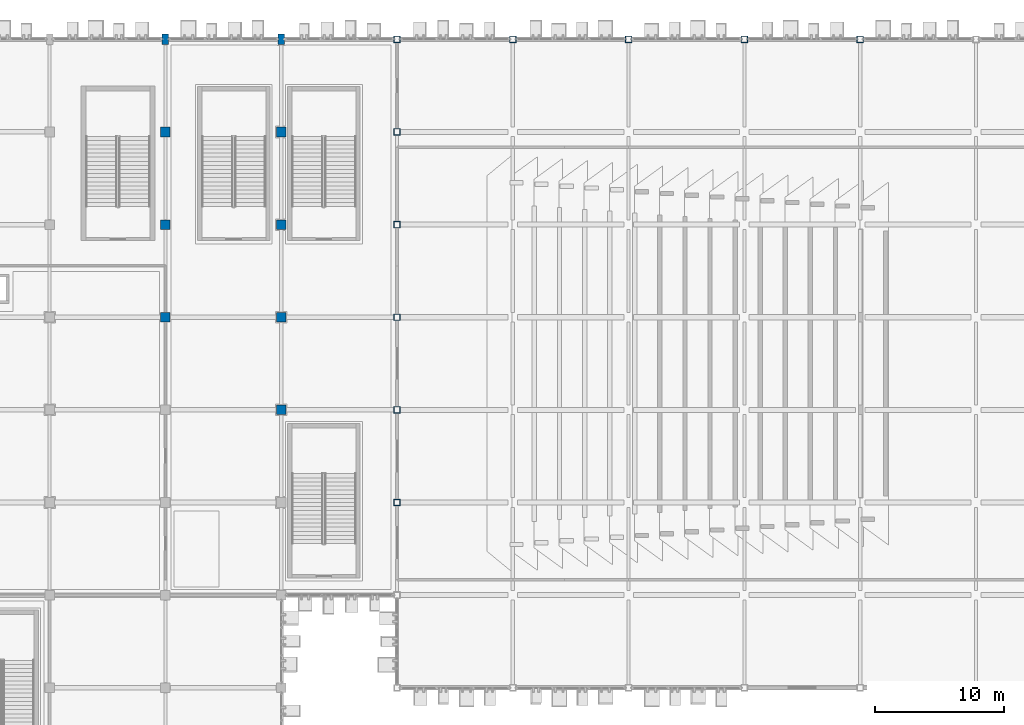
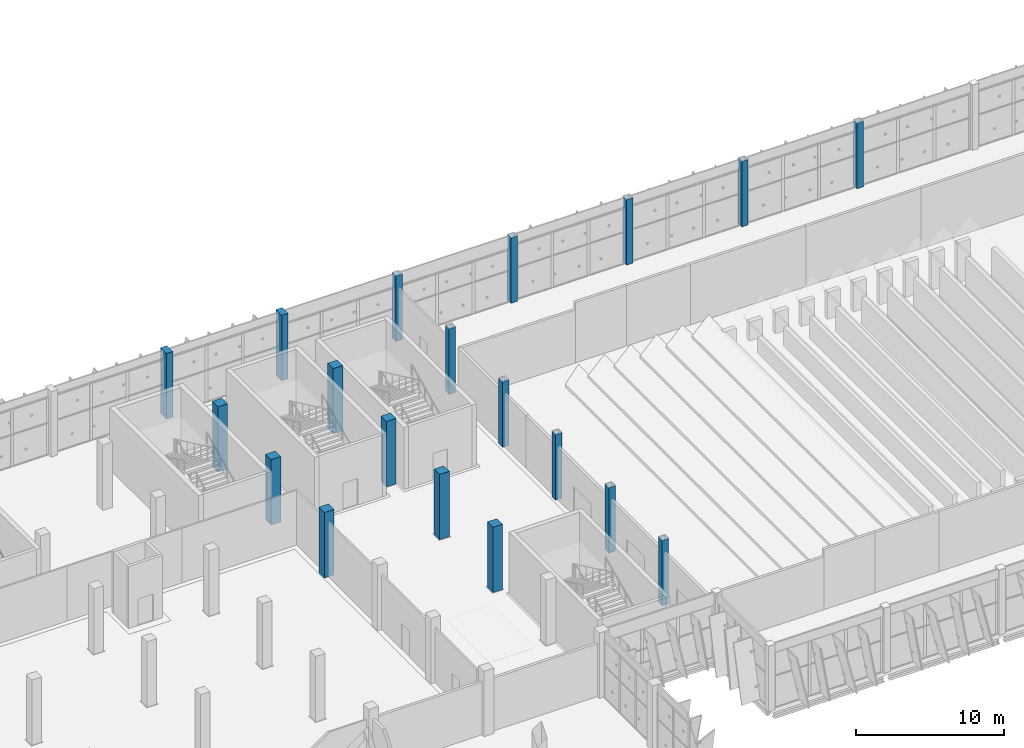
# One storey, part 14 of 189: 19 columns.
"""IFC4 building model written with IfcOpenShell, lengths in metres."""

from ifc_helpers import new_model, si_unit, direction, frame, origin, origin_2d, place, context, subcontext, project, spatial, rectangle, hollow_rectangle, extrude, material, material_profile, profile_set, type_object, element, save


model = new_model("IFC4")

# Units and contexts
model_context = context("Model", 3, precision=1e-05, world=origin(), true_north=direction((0.0, 1.0)))
body_context = subcontext(model_context, "Body", "Model", "MODEL_VIEW")
ifc_project = project(units=[si_unit("LENGTHUNIT", "METRE"), si_unit("AREAUNIT", "SQUARE_METRE"), si_unit("VOLUMEUNIT", "CUBIC_METRE"), si_unit("PLANEANGLEUNIT", "RADIAN"), si_unit("MASSUNIT", "GRAM", prefix="KILO")], contexts=[model_context])

# Site, building, storey
site_placement = place(None, origin())
site = spatial("IfcSite", under=ifc_project, at=site_placement, CompositionType="ELEMENT")
building_placement = place(site_placement, origin())
building = spatial("IfcBuilding", under=site, at=building_placement, Name="Celestram Park Convention Centre", CompositionType="ELEMENT")
storey_placement = place(building_placement, frame((0.0, 0.0, 5.39990234375)))
storey = spatial("IfcBuildingStorey", under=building, at=storey_placement, Name="L01", CompositionType="ELEMENT", Elevation=5.39990234375)

# Columns
ifc_material_1 = material(Name="Steel ASTM A500 Grade C", Category="steel")
ifc_material_profile_1 = material_profile(ifc_material_1, hollow_rectangle(XDim=0.5, YDim=0.5, WallThickness=0.02001953125, at=origin_2d()), Name="HSS500X500X20")
ifc_profile_set_1 = profile_set([ifc_material_profile_1], Name="Steel ASTM A500 Grade C")
column_type_1 = type_object("IfcColumnType", Name="STR-COL-HSS500", PredefinedType="COLUMN", material=ifc_profile_set_1)
for number, where, z_axis, x_axis, name in (
    (1, (153.0, 129.60009765625, 0.0), (0.0, 0.0, 1.0), (1.0, 0.0, 0.0), "Column CN-L01-211"),
    (2, (153.0, 136.800048828125, 0.0), (0.0, 0.0, 1.0), (1.0, 0.0, 0.0), "Column CN-L01-212"),
    (3, (153.0, 144.0, 0.0), (0.0, 0.0, 1.0), (1.0, 0.0, 0.0), "Column CN-L01-213"),
    (4, (153.0, 151.199951171875, 0.0), (0.0, 0.0, 1.0), (1.0, 0.0, 0.0), "Column CN-L01-214"),
    (5, (153.0, 158.39990234375, 0.0), (0.0, 0.0, 1.0), (1.0, 0.0, 0.0), "Column CN-L01-215"),
    (6, (153.0, 165.60009765625, 0.0), (0.0, 0.0, 1.0), (1.0, 0.0, 0.0), "Column CN-L01-216"),
    (7, (162.0, 165.60009765625, 0.0), (0.0, 0.0, 1.0), (1.0, 0.0, 0.0), "Column CN-L01-224"),
    (8, (171.0, 165.60009765625, 0.0), (0.0, 0.0, 1.0), (1.0, 0.0, 0.0), "Column CN-L01-232"),
    (9, (180.0, 165.60009765625, 0.0), (0.0, 0.0, 1.0), (1.0, 0.0, 0.0), "Column CN-L01-240"),
    (10, (189.0, 165.60009765625, 0.0), (0.0, 0.0, 1.0), (1.0, 0.0, 0.0), "Column CN-L01-248"),
):
    element("IfcColumn", number, at=place(storey_placement, frame(where, z_axis=z_axis, x_axis=x_axis)), inside=storey, type_object=column_type_1, Name=name, PredefinedType="COLUMN", context=body_context, shape_type="SweptSolid", body=[
        extrude(hollow_rectangle(XDim=0.5, YDim=0.5, WallThickness=0.02001953125, at=origin_2d()), origin(), (0.0, 0.0, 1.0), 5.400146484375),
    ])
ifc_material_2 = material(Name="Concrete C40/50", Category="concrete")
ifc_material_profile_2 = material_profile(ifc_material_2, rectangle(XDim=0.75, YDim=0.75, at=origin_2d()), Name="RC750X750")
ifc_profile_set_2 = profile_set([ifc_material_profile_2], Name="Concrete C40/50")
column_type_2 = type_object("IfcColumnType", Name="STR-COL-RC750", PredefinedType="COLUMN", material=ifc_profile_set_2)
for number, where, z_axis, x_axis, name in (
    (11, (135.0, 144.0, 0.0), (0.0, 0.0, 1.0), (1.0, 0.0, 0.0), "Column CN-L01-175"),
    (12, (135.0, 151.199951171875, 0.0), (0.0, 0.0, 1.0), (1.0, 0.0, 0.0), "Column CN-L01-176"),
    (13, (135.0, 158.39990234375, 0.0), (0.0, 0.0, 1.0), (1.0, 0.0, 0.0), "Column CN-L01-177"),
    (14, (144.0, 136.800048828125, 0.0), (0.0, 0.0, 1.0), (1.0, 0.0, 0.0), "Column CN-L01-198"),
    (15, (144.0, 144.0, 0.0), (0.0, 0.0, 1.0), (1.0, 0.0, 0.0), "Column CN-L01-199"),
    (16, (144.0, 151.199951171875, 0.0), (0.0, 0.0, 1.0), (1.0, 0.0, 0.0), "Column CN-L01-200"),
    (17, (144.0, 158.39990234375, 0.0), (0.0, 0.0, 1.0), (1.0, 0.0, 0.0), "Column CN-L01-201"),
):
    element("IfcColumn", number, at=place(storey_placement, frame(where, z_axis=z_axis, x_axis=x_axis)), inside=storey, type_object=column_type_2, Name=name, PredefinedType="COLUMN", context=body_context, shape_type="SweptSolid", body=[
        extrude(rectangle(XDim=0.75, YDim=0.75, at=origin_2d()), origin(), (0.0, 0.0, 1.0), 5.400146484375),
    ])
ifc_material_profile_3 = material_profile(ifc_material_2, rectangle(XDim=0.5, YDim=0.800048828125, at=origin_2d()), Name="RC800X500")
ifc_profile_set_3 = profile_set([ifc_material_profile_3], Name="Concrete C40/50")
column_type_3 = type_object("IfcColumnType", Name="STR-COL-RC800X500", PredefinedType="COLUMN", material=ifc_profile_set_3)
for number, where, z_axis, x_axis, name in (
    (18, (135.0, 165.60009765625, 0.0), (0.0, 0.0, 1.0), (1.0, 0.0, 0.0), "Column CN-L01-178"),
    (19, (144.0, 165.60009765625, 0.0), (0.0, 0.0, 1.0), (1.0, 0.0, 0.0), "Column CN-L01-202"),
):
    element("IfcColumn", number, at=place(storey_placement, frame(where, z_axis=z_axis, x_axis=x_axis)), inside=storey, type_object=column_type_3, Name=name, PredefinedType="COLUMN", context=body_context, shape_type="SweptSolid", body=[
        extrude(rectangle(XDim=0.5, YDim=0.800048828125, at=origin_2d()), origin(), (0.0, 0.0, 1.0), 5.400146484375),
    ])

save(model, "model.ifc")
